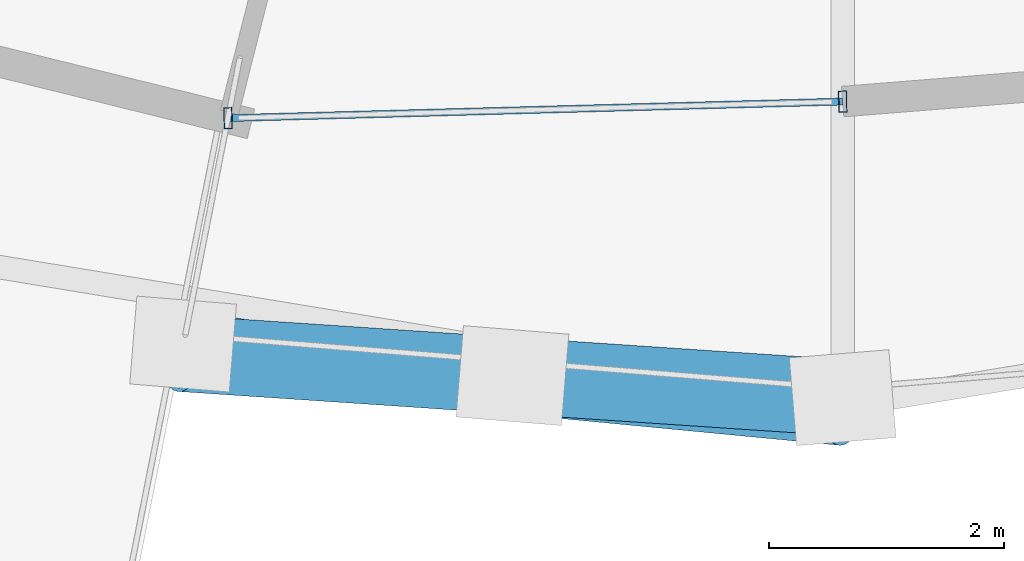
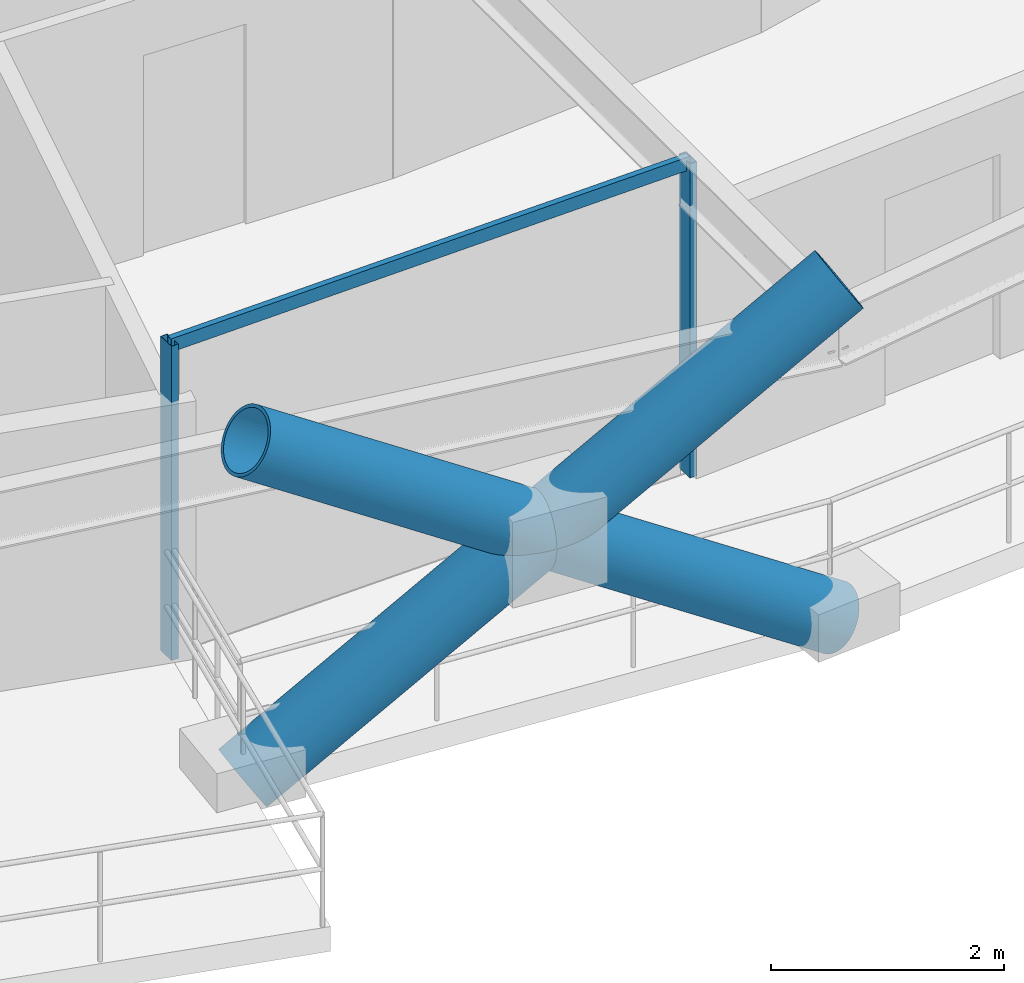
# One storey, part 2 of 14: 6 members, 1 element without a shape of its own.
"""IFC4 building model written with IfcOpenShell, lengths in metres."""

from ifc_helpers import new_model, si_unit, direction, frame, origin, origin_2d, place, context, subcontext, project, spatial, hollow_rectangle, hollow_circle, extrude, material, layer, layer_set, material_profile, profile_set, type_object, element, aggregate, save


model = new_model("IFC4")

# Units and contexts
model_context = context("Model", 3, precision=1e-05, world=origin(), true_north=direction((0.0, 1.0)))
body_context = subcontext(model_context, "Body", "Model", "MODEL_VIEW")
ifc_project = project(units=[si_unit("LENGTHUNIT", "METRE"), si_unit("AREAUNIT", "SQUARE_METRE"), si_unit("VOLUMEUNIT", "CUBIC_METRE"), si_unit("PLANEANGLEUNIT", "RADIAN"), si_unit("MASSUNIT", "GRAM", prefix="KILO")], contexts=[model_context])

# Site, building, storey
site_placement = place(None, origin())
site = spatial("IfcSite", under=ifc_project, at=site_placement, CompositionType="ELEMENT")
building_placement = place(site_placement, origin())
building = spatial("IfcBuilding", under=site, at=building_placement, Name="Veldorina Hangang Commons", CompositionType="ELEMENT")
storey_placement = place(building_placement, frame((0.0, 0.0, 62.800048828125)))
storey = spatial("IfcBuildingStorey", under=building, at=storey_placement, Name="L15", CompositionType="ELEMENT", Elevation=62.800048828125)

# Curtain wall, members
ifc_material_1 = material(Name="Glass Low-E Triple IGU", Category="glass")
ifc_layer = layer(ifc_material_1, 0.179931640625)
ifc_layer_set = layer_set([ifc_layer], Name="Glass Low-E Triple IGU")
curtain_wall_type = type_object("IfcCurtainWallType", Name="CW-SYS-Z1", PredefinedType="NOTDEFINED", material=ifc_layer_set)
curtain_wall_placement = place(storey_placement, origin())
curtain_wall = element("IfcCurtainWall", 1, at=curtain_wall_placement, inside=storey, type_object=curtain_wall_type, Name="L15 unitised curtain wall CW-L15-R1", PredefinedType="NOTDEFINED")
ifc_material_2 = material(Name="Aluminium Anodized AA6063-T6", Category="aluminium")
ifc_material_profile_1 = material_profile(ifc_material_2, hollow_rectangle(XDim=0.070068359375, YDim=0.179931640625, WallThickness=0.00390625, at=origin_2d()), Name="ALU-RHS-180x70x4")
ifc_profile_set_1 = profile_set([ifc_material_profile_1], Name="Aluminium Anodized AA6063-T6")
member_type_1 = type_object("IfcMemberType", Name="CW-MUL-180", PredefinedType="MULLION", material=ifc_profile_set_1)
member_1_placement = place(storey_placement, frame((26.76953125, 2.60888671875, 0.0), z_axis=(0.0, 0.0, 1.0), x_axis=(0.999637397876, 0.026927175269, 0.0)))
member_1 = element("IfcMember", 2, at=member_1_placement, type_object=member_type_1, Name="CW-L15-R1 vertical mullion 1", PredefinedType="MULLION", context=body_context, shape_type="SweptSolid", body=[
    extrude(hollow_rectangle(XDim=0.070068359375, YDim=0.179931640625, WallThickness=0.00390625, at=origin_2d()), origin(), (0.0, 0.0, 1.0), 3.300048828125),
])
member_2_placement = place(storey_placement, frame((32.0, 2.75, 0.0), z_axis=(0.0, 0.0, 1.0), x_axis=(-0.999637397876, -0.026927175269, 0.0)))
member_2 = element("IfcMember", 3, at=member_2_placement, type_object=member_type_1, Name="CW-L15-R1 vertical mullion 2", PredefinedType="MULLION", context=body_context, shape_type="SweptSolid", body=[
    extrude(hollow_rectangle(XDim=0.070068359375, YDim=0.179931640625, WallThickness=0.00390625, at=origin_2d()), origin(), (0.0, 0.0, 1.0), 3.300048828125),
])
ifc_material_profile_2 = material_profile(ifc_material_2, hollow_rectangle(XDim=0.06005859375, YDim=0.139892578125, WallThickness=0.00341796875, at=origin_2d()), Name="ALU-RHS-140x60x3.5")
ifc_profile_set_2 = profile_set([ifc_material_profile_2], Name="Aluminium Anodized AA6063-T6")
member_type_2 = type_object("IfcMemberType", Name="CW-TRN-140", PredefinedType="USERDEFINED", material=ifc_profile_set_2)
member_3_placement = place(storey_placement, frame((26.76953125, 2.60888671875, 3.260009765625), z_axis=(0.999636262935, 0.026969275578, 0.0), x_axis=(-0.026969275578, 0.999636262935, 0.0)))
member_3 = element("IfcMember", 4, at=member_3_placement, type_object=member_type_2, Name="CW-L15-R1 facet 1 transom 1", ObjectType="TRANSOM", PredefinedType="USERDEFINED", context=body_context, shape_type="SweptSolid", body=[
    extrude(hollow_rectangle(XDim=0.06005859375, YDim=0.139892578125, WallThickness=0.00341796875, at=origin_2d()), origin(), (0.0, 0.0, 1.0), 5.232421875),
])
aggregate(curtain_wall, [member_1, member_2, member_3])

# Members
ifc_material_3 = material(Name="Steel SM460-TMC", Category="steel")
ifc_material_profile_3 = material_profile(ifc_material_3, hollow_circle(Radius=0.324951171875, WallThickness=0.031982421875, at=origin_2d()), Name="CHS-650x32")
ifc_profile_set_3 = profile_set([ifc_material_profile_3], Name="Steel SM460-TMC")
member_type_3 = type_object("IfcMemberType", Name="DG-CHS650", PredefinedType="BRACE", material=ifc_profile_set_3)
member_4_placement = place(storey_placement, frame((26.38720703125, 0.6865234375, 0.0), z_axis=(0.839021624712, -0.080435130964, 0.538119784966), x_axis=(0.095430239621, 0.995436120183, 0.0)))
element("IfcMember", 5, at=member_4_placement, inside=storey, type_object=member_type_3, Name="L15 continuous perimeter diagrid brace 23", PredefinedType="BRACE", context=body_context, shape_type="SweptSolid", body=[
    extrude(hollow_circle(Radius=0.324951171875, WallThickness=0.031982421875, at=origin_2d()), origin(), (0.0, 0.0, 1.0), 6.689697265625),
])
member_5_placement = place(storey_placement, frame((32.0, 0.22998046875, 0.0), z_axis=(-0.841104364856, 0.056263605329, 0.537938522636), x_axis=(-0.066743378895, -0.997770174626, 0.0)))
element("IfcMember", 6, at=member_5_placement, inside=storey, type_object=member_type_3, Name="L15 split perimeter diagrid lower brace 24", PredefinedType="BRACE", context=body_context, shape_type="SweptSolid", body=[
    extrude(hollow_circle(Radius=0.324951171875, WallThickness=0.031982421875, at=origin_2d()), origin(), (0.0, 0.0, 1.0), 3.34130859375),
])
member_6_placement = place(storey_placement, frame((29.189697265625, 0.41796875, 1.79736328125), z_axis=(-0.841105110386, 0.056321400756, 0.537931308904), x_axis=(-0.066811574577, -0.997765610503, 0.0)))
element("IfcMember", 7, at=member_6_placement, inside=storey, type_object=member_type_3, Name="L15 split perimeter diagrid upper brace 24", PredefinedType="BRACE", context=body_context, shape_type="SweptSolid", body=[
    extrude(hollow_circle(Radius=0.324951171875, WallThickness=0.031982421875, at=origin_2d()), origin(), (0.0, 0.0, 1.0), 3.350830078125),
])

save(model, "model.ifc")
